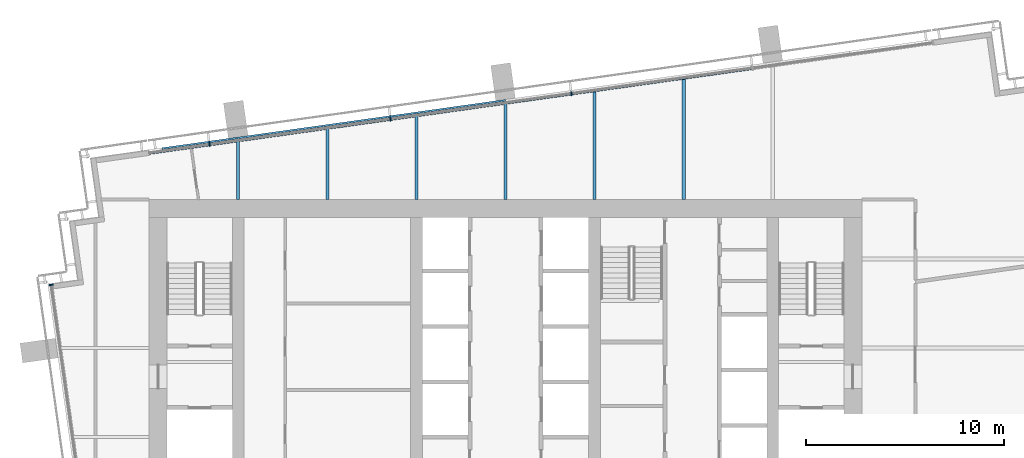
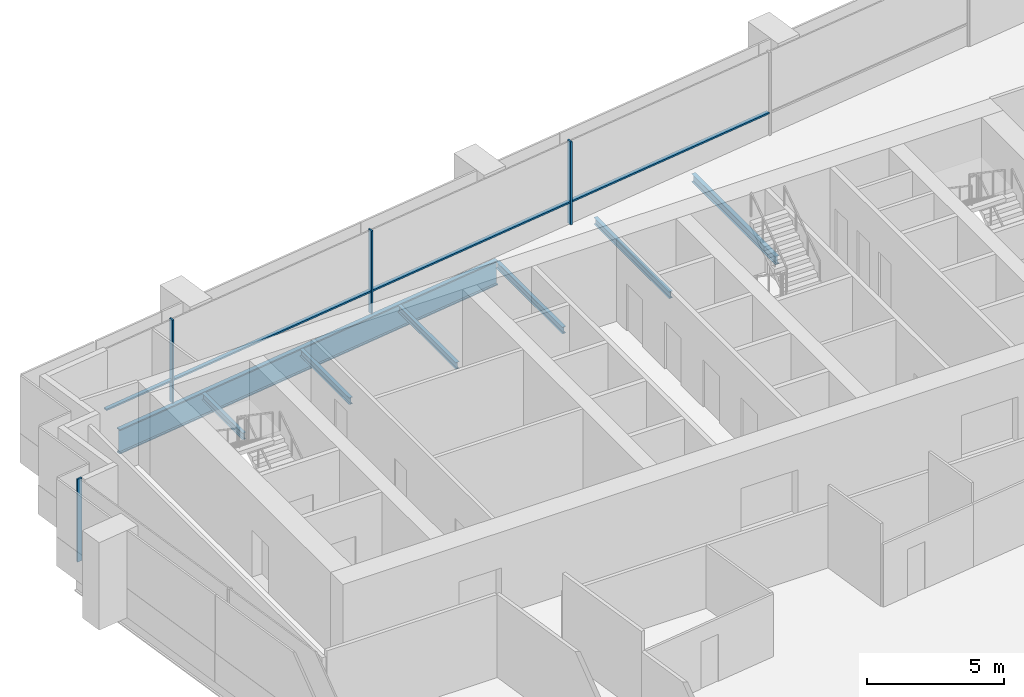
# One storey, part 6 of 17: 8 members, 7 beams, 2 elements without a shape of their own.
"""IFC4 building model written with IfcOpenShell, lengths in metres."""

from ifc_helpers import new_model, si_unit, direction, frame, origin, origin_2d, place, context, subcontext, project, spatial, rectangle, i_section, extrude, material, layer, layer_set, material_profile, profile_set, type_object, element, aggregate, save


model = new_model("IFC4")

# Units and contexts
model_context = context("Model", 3, precision=1e-05, world=origin(), true_north=direction((0.0, 1.0)))
body_context = subcontext(model_context, "Body", "Model", "MODEL_VIEW")
ifc_project = project(units=[si_unit("LENGTHUNIT", "METRE"), si_unit("AREAUNIT", "SQUARE_METRE"), si_unit("VOLUMEUNIT", "CUBIC_METRE"), si_unit("PLANEANGLEUNIT", "RADIAN"), si_unit("MASSUNIT", "GRAM", prefix="KILO")], contexts=[model_context])

# Site, building, storey
site_placement = place(None, origin())
site = spatial("IfcSite", under=ifc_project, at=site_placement, CompositionType="ELEMENT")
building_placement = place(site_placement, origin())
building = spatial("IfcBuilding", under=site, at=building_placement, Name="Rattan Terrace Tower", CompositionType="ELEMENT")
storey_placement = place(building_placement, frame((0.0, 0.0, 221.300048828125)))
storey = spatial("IfcBuildingStorey", under=building, at=storey_placement, Name="L50", CompositionType="ELEMENT", Elevation=221.300048828125)

# Beams
ifc_material_1 = material(Name="Steel S460", Category="steel")
ifc_material_profile_1 = material_profile(ifc_material_1, i_section(OverallWidth=0.179931640625, OverallDepth=1.10009765625, WebThickness=0.01611328125, FlangeThickness=0.050048828125, at=origin_2d()), Name="PG 1100x180-16-50")
ifc_profile_set_1 = profile_set([ifc_material_profile_1], Name="Steel S460")
beam_type_1 = type_object("IfcBeamType", Name="Frame edge girder PG 1100x180-16-50", PredefinedType="SPANDREL", material=ifc_profile_set_1)
beam_1_placement = place(storey_placement, frame((-17.347900390625, 10.031005859375, -0.75), z_axis=(0.990267797657, 0.13917502981, 0.0), x_axis=(-0.13917502981, 0.990267797657, 0.0)))
element("IfcBeam", 1, at=beam_1_placement, inside=storey, type_object=beam_type_1, Name="gdr-L50-005", PredefinedType="SPANDREL", context=body_context, shape_type="SweptSolid", body=[
    extrude(i_section(OverallWidth=0.179931640625, OverallDepth=1.10009765625, WebThickness=0.01611328125, FlangeThickness=0.050048828125, at=origin_2d()), origin(), (0.0, 0.0, 1.0), 17.531494140625),
])
ifc_material_2 = material(Name="Steel S355", Category="steel")
ifc_material_profile_2 = material_profile(ifc_material_2, i_section(OverallWidth=0.14990234375, OverallDepth=0.300048828125, WebThickness=0.007080078125, FlangeThickness=0.0107421875, FilletRadius=0.014892578125, at=origin_2d()), Name="IPE 300")
ifc_profile_set_2 = profile_set([ifc_material_profile_2], Name="Steel S355")
beam_type_2 = type_object("IfcBeamType", Name="Frame floor beam IPE 300", PredefinedType="JOIST", material=ifc_profile_set_2)
beam_2_placement = place(storey_placement, frame((-13.5, 7.5, -0.35009765625), z_axis=(0.0, 1.0, 0.0), x_axis=(-1.0, 0.0, 0.0)))
element("IfcBeam", 2, at=beam_2_placement, inside=storey, type_object=beam_type_2, Name="bm-L50-014", PredefinedType="JOIST", context=body_context, shape_type="SweptSolid", body=[
    extrude(i_section(OverallWidth=0.14990234375, OverallDepth=0.300048828125, WebThickness=0.007080078125, FlangeThickness=0.0107421875, FilletRadius=0.014892578125, at=origin_2d()), origin(), (0.0, 0.0, 1.0), 2.969970703125),
])
beam_3_placement = place(storey_placement, frame((-9.0, 7.5, -0.35009765625), z_axis=(0.0, 1.0, 0.0), x_axis=(-1.0, 0.0, 0.0)))
element("IfcBeam", 3, at=beam_3_placement, inside=storey, type_object=beam_type_2, Name="bm-L50-015", PredefinedType="JOIST", context=body_context, shape_type="SweptSolid", body=[
    extrude(i_section(OverallWidth=0.14990234375, OverallDepth=0.300048828125, WebThickness=0.007080078125, FlangeThickness=0.0107421875, FilletRadius=0.014892578125, at=origin_2d()), origin(), (0.0, 0.0, 1.0), 3.60302734375),
])
beam_4_placement = place(storey_placement, frame((-4.5, 7.5, -0.35009765625), z_axis=(0.0, 1.0, 0.0), x_axis=(-1.0, 0.0, 0.0)))
element("IfcBeam", 4, at=beam_4_placement, inside=storey, type_object=beam_type_2, Name="bm-L50-016", PredefinedType="JOIST", context=body_context, shape_type="SweptSolid", body=[
    extrude(i_section(OverallWidth=0.14990234375, OverallDepth=0.300048828125, WebThickness=0.007080078125, FlangeThickness=0.0107421875, FilletRadius=0.014892578125, at=origin_2d()), origin(), (0.0, 0.0, 1.0), 4.235107421875),
])
beam_5_placement = place(storey_placement, frame((0.0, 7.5, -0.35009765625), z_axis=(0.0, 1.0, 0.0), x_axis=(-1.0, 0.0, 0.0)))
element("IfcBeam", 5, at=beam_5_placement, inside=storey, type_object=beam_type_2, Name="bm-L50-017", PredefinedType="JOIST", context=body_context, shape_type="SweptSolid", body=[
    extrude(i_section(OverallWidth=0.14990234375, OverallDepth=0.300048828125, WebThickness=0.007080078125, FlangeThickness=0.0107421875, FilletRadius=0.014892578125, at=origin_2d()), origin(), (0.0, 0.0, 1.0), 4.867919921875),
])
beam_6_placement = place(storey_placement, frame((4.5, 7.5, -0.35009765625), z_axis=(0.0, 1.0, 0.0), x_axis=(-1.0, 0.0, 0.0)))
element("IfcBeam", 6, at=beam_6_placement, inside=storey, type_object=beam_type_2, Name="bm-L50-018", PredefinedType="JOIST", context=body_context, shape_type="SweptSolid", body=[
    extrude(i_section(OverallWidth=0.14990234375, OverallDepth=0.300048828125, WebThickness=0.007080078125, FlangeThickness=0.0107421875, FilletRadius=0.014892578125, at=origin_2d()), origin(), (0.0, 0.0, 1.0), 5.5),
])
ifc_material_3 = material(Name="Steel S355", Category="steel")
ifc_material_profile_3 = material_profile(ifc_material_3, i_section(OverallWidth=0.169921875, OverallDepth=0.360107421875, WebThickness=0.008056640625, FlangeThickness=0.0126953125, FilletRadius=0.01806640625, at=origin_2d()), Name="IPE 360")
ifc_profile_set_3 = profile_set([ifc_material_profile_3], Name="Steel S355")
beam_type_3 = type_object("IfcBeamType", Name="Frame floor beam IPE 360", PredefinedType="JOIST", material=ifc_profile_set_3)
beam_7_placement = place(storey_placement, frame((9.0, 7.5, -0.380126953125), z_axis=(0.0, 1.0, 0.0), x_axis=(-1.0, 0.0, 0.0)))
element("IfcBeam", 7, at=beam_7_placement, inside=storey, type_object=beam_type_3, Name="bm-L50-019", PredefinedType="JOIST", context=body_context, shape_type="SweptSolid", body=[
    extrude(i_section(OverallWidth=0.169921875, OverallDepth=0.360107421875, WebThickness=0.008056640625, FlangeThickness=0.0126953125, FilletRadius=0.01806640625, at=origin_2d()), origin(), (0.0, 0.0, 1.0), 6.131103515625),
])

# Curtain wall, members
ifc_material_4 = material(Name="Aluminium and laminated glass", Category="aluminium")
ifc_layer = layer(ifc_material_4, 0.199951171875)
ifc_layer_set = layer_set([ifc_layer], Name="High-Zone Unitised Curtain Wall")
curtain_wall_type = type_object("IfcCurtainWallType", Name="High-Zone Unitised Curtain Wall", PredefinedType="NOTDEFINED", material=ifc_layer_set)
curtain_wall_1_placement = place(storey_placement, origin())
curtain_wall_1 = element("IfcCurtainWall", 8, at=curtain_wall_1_placement, inside=storey, type_object=curtain_wall_type, Name="High-zone curtain wall L50-2", PredefinedType="NOTDEFINED")
ifc_material_5 = material(Name="Aluminium", Category="aluminium")
ifc_material_profile_4 = material_profile(ifc_material_5, rectangle(XDim=0.070068359375, YDim=0.199951171875, at=origin_2d()), Name="Aluminium 70x200")
ifc_profile_set_4 = profile_set([ifc_material_profile_4], Name="Aluminium")
member_type_1 = type_object("IfcMemberType", Name="High-Zone CW Mullion 70x200", PredefinedType="MULLION", material=ifc_profile_set_4)
member_1_placement = place(storey_placement, frame((3.332275390625, 12.856201171875, 0.0), z_axis=(0.0, 0.0, 1.0), x_axis=(-0.990267457022, -0.139177453499, 0.0)))
member_1 = element("IfcMember", 9, at=member_1_placement, type_object=member_type_1, Name="Mullion cwl-L50-002.3", PredefinedType="MULLION", context=body_context, shape_type="SweptSolid", body=[
    extrude(rectangle(XDim=0.070068359375, YDim=0.199951171875, at=origin_2d()), origin(), (0.0, 0.0, 1.0), 3.699951171875),
])
member_2_placement = place(storey_placement, frame((-5.808837890625, 11.571533203125, 0.0), z_axis=(0.0, 0.0, 1.0), x_axis=(-0.990267457022, -0.139177453499, 0.0)))
member_2 = element("IfcMember", 10, at=member_2_placement, type_object=member_type_1, Name="Mullion cwl-L50-002.4", PredefinedType="MULLION", context=body_context, shape_type="SweptSolid", body=[
    extrude(rectangle(XDim=0.070068359375, YDim=0.199951171875, at=origin_2d()), origin(), (0.0, 0.0, 1.0), 3.699951171875),
])
member_3_placement = place(storey_placement, frame((-14.949951171875, 10.28662109375, 0.0), z_axis=(0.0, 0.0, 1.0), x_axis=(-0.990267457022, -0.139177453499, 0.0)))
member_3 = element("IfcMember", 11, at=member_3_placement, type_object=member_type_1, Name="Mullion cwl-L50-002.5", PredefinedType="MULLION", context=body_context, shape_type="SweptSolid", body=[
    extrude(rectangle(XDim=0.070068359375, YDim=0.199951171875, at=origin_2d()), origin(), (0.0, 0.0, 1.0), 3.699951171875),
])

# Curtain wall, member
curtain_wall_2_placement = place(storey_placement, origin())
curtain_wall_2 = element("IfcCurtainWall", 12, at=curtain_wall_2_placement, inside=storey, type_object=curtain_wall_type, Name="High-zone curtain wall L50-3", PredefinedType="NOTDEFINED")
member_4_placement = place(storey_placement, frame((-22.946533203125, 3.1943359375, 0.0), z_axis=(0.0, 0.0, 1.0), x_axis=(0.139186165309, -0.990266232579, 0.0)))
member_4 = element("IfcMember", 13, at=member_4_placement, type_object=member_type_1, Name="Mullion cwl-L50-003.1", PredefinedType="MULLION", context=body_context, shape_type="SweptSolid", body=[
    extrude(rectangle(XDim=0.070068359375, YDim=0.199951171875, at=origin_2d()), origin(), (0.0, 0.0, 1.0), 3.699951171875),
])
aggregate(curtain_wall_2, [member_4])

# Member
ifc_material_6 = material(Name="Aluminium", Category="aluminium")
ifc_material_profile_5 = material_profile(ifc_material_6, rectangle(XDim=0.159912109375, YDim=0.070068359375, at=origin_2d()), Name="Aluminium 160x70")
ifc_profile_set_5 = profile_set([ifc_material_profile_5], Name="Aluminium")
member_type_2 = type_object("IfcMemberType", Name="High-Zone CW Transom 160x70", PredefinedType="USERDEFINED", material=ifc_profile_set_5)
member_5_placement = place(storey_placement, frame((12.438720703125, 14.135986328125, 1.0), z_axis=(-0.990268863305, -0.13916744723, 0.0), x_axis=(0.13916744723, -0.990268863305, 0.0)))
member_5 = element("IfcMember", 14, at=member_5_placement, type_object=member_type_2, Name="Transom cwl-L50-002.2", ObjectType="TRANSOM", PredefinedType="USERDEFINED", context=body_context, shape_type="SweptSolid", body=[
    extrude(rectangle(XDim=0.159912109375, YDim=0.070068359375, at=origin_2d()), origin(), (0.0, 0.0, 1.0), 9.160888671875),
])

member_6_placement = place(storey_placement, frame((3.297607421875, 12.851318359375, 1.0), z_axis=(-0.990265190222, -0.139193581154, 0.0), x_axis=(0.139193581154, -0.990265190222, 0.0)))
member_6 = element("IfcMember", 15, at=member_6_placement, type_object=member_type_2, Name="Transom cwl-L50-002.3", ObjectType="TRANSOM", PredefinedType="USERDEFINED", context=body_context, shape_type="SweptSolid", body=[
    extrude(rectangle(XDim=0.159912109375, YDim=0.070068359375, at=origin_2d()), origin(), (0.0, 0.0, 1.0), 9.160888671875),
])

member_7_placement = place(storey_placement, frame((-5.843505859375, 11.566650390625, 1.0), z_axis=(-0.990265190222, -0.139193581154, 0.0), x_axis=(0.139193581154, -0.990265190222, 0.0)))
member_7 = element("IfcMember", 16, at=member_7_placement, type_object=member_type_2, Name="Transom cwl-L50-002.4", ObjectType="TRANSOM", PredefinedType="USERDEFINED", context=body_context, shape_type="SweptSolid", body=[
    extrude(rectangle(XDim=0.159912109375, YDim=0.070068359375, at=origin_2d()), origin(), (0.0, 0.0, 1.0), 9.160888671875),
])

member_8_placement = place(storey_placement, frame((-14.984619140625, 10.28173828125, 1.0), z_axis=(-0.990269723995, -0.139161322712, 0.0), x_axis=(0.139161322712, -0.990269723995, 0.0)))
member_8 = element("IfcMember", 17, at=member_8_placement, type_object=member_type_2, Name="Transom cwl-L50-002.5", ObjectType="TRANSOM", PredefinedType="USERDEFINED", context=body_context, shape_type="SweptSolid", body=[
    extrude(rectangle(XDim=0.159912109375, YDim=0.070068359375, at=origin_2d()), origin(), (0.0, 0.0, 1.0), 3.040283203125),
])

aggregate(curtain_wall_1, [member_1, member_2, member_3, member_5, member_6, member_7, member_8])

save(model, "model.ifc")
